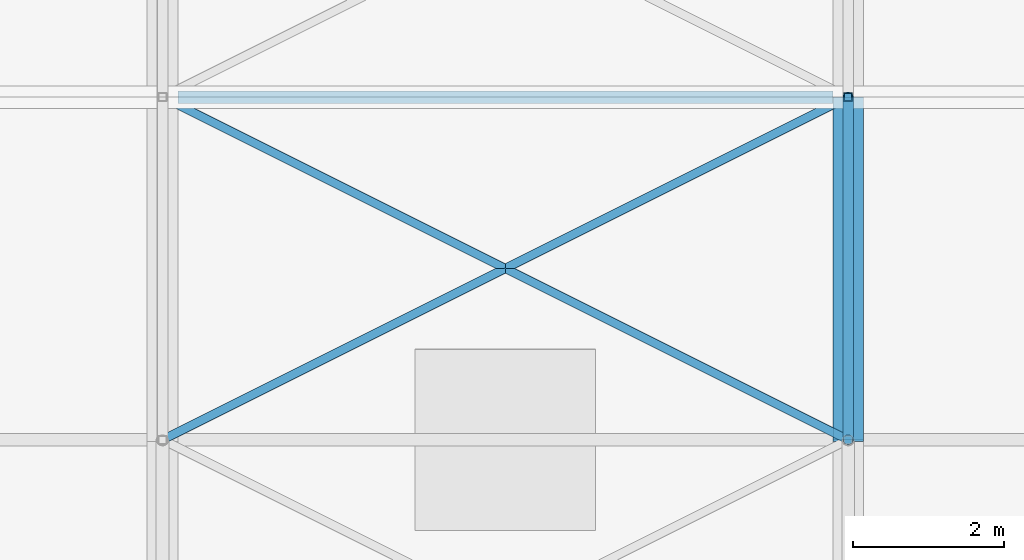
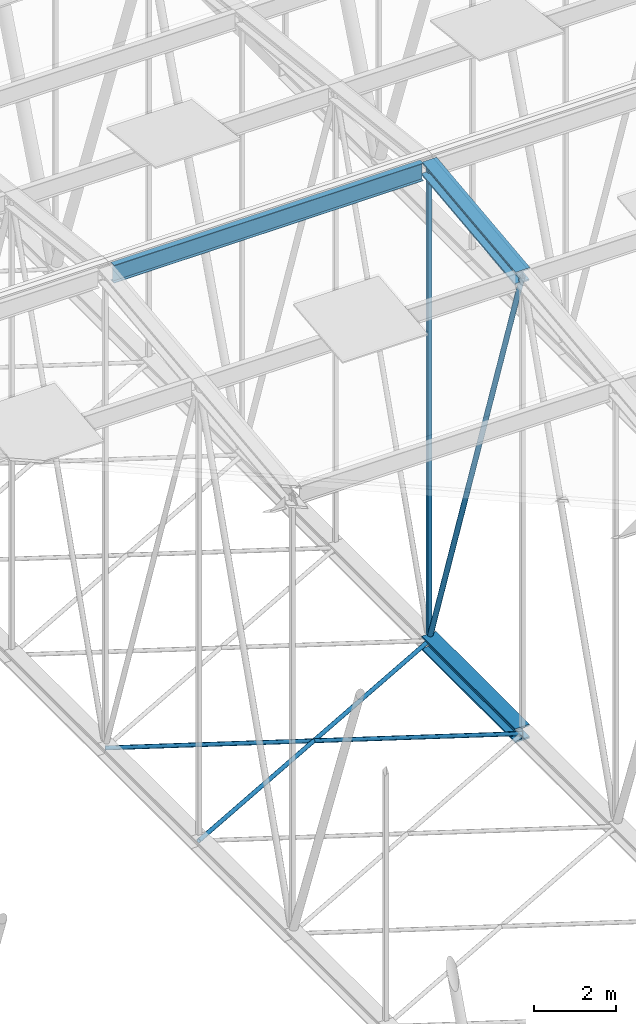
# One storey, part 93 of 500: 7 members.
"""IFC4 building model written with IfcOpenShell, lengths in metres."""

from ifc_helpers import new_model, si_unit, direction, frame, origin, origin_2d, place, context, subcontext, project, spatial, hollow_rectangle, hollow_circle, i_section, extrude, material, material_profile, profile_set, type_object, element, save


model = new_model("IFC4")

# Units and contexts
model_context = context("Model", 3, precision=1e-05, world=origin(), true_north=direction((0.0, 1.0)))
body_context = subcontext(model_context, "Body", "Model", "MODEL_VIEW")
ifc_project = project(units=[si_unit("LENGTHUNIT", "METRE"), si_unit("AREAUNIT", "SQUARE_METRE"), si_unit("VOLUMEUNIT", "CUBIC_METRE"), si_unit("PLANEANGLEUNIT", "RADIAN"), si_unit("MASSUNIT", "GRAM", prefix="KILO")], contexts=[model_context])

# Site, building, storey
site_placement = place(None, origin())
site = spatial("IfcSite", under=ifc_project, at=site_placement, CompositionType="ELEMENT")
building_placement = place(site_placement, origin())
building = spatial("IfcBuilding", under=site, at=building_placement, Name="Shirokan Park Arena", CompositionType="ELEMENT")
storey_placement = place(building_placement, frame((0.0, 0.0, 29.1201171875)))
storey = spatial("IfcBuildingStorey", under=building, at=storey_placement, Name="L06", CompositionType="ELEMENT", Elevation=29.1201171875)

# Members
ifc_material_1 = material(Name="Steel ASTM A992", Category="steel")
ifc_material_profile_1 = material_profile(ifc_material_1, i_section(OverallWidth=0.406005859375, OverallDepth=0.4169921875, WebThickness=0.030029296875, FlangeThickness=0.048095703125, at=origin_2d()), Name="W360X382")
ifc_profile_set_1 = profile_set([ifc_material_profile_1], Name="Steel ASTM A992")
member_type_1 = type_object("IfcMemberType", Name="Bottom chord W360X382", PredefinedType="CHORD", material=ifc_profile_set_1)
member_1_placement = place(storey_placement, frame((54.60009765625, 50.050048828125, 4.677001953125), z_axis=(0.0, 1.0, 0.0), x_axis=(-1.0, 0.0, 0.0)))
element("IfcMember", 1, at=member_1_placement, inside=storey, type_object=member_type_1, Name="Truss T07 bottom chord 14", PredefinedType="CHORD", context=body_context, shape_type="SweptSolid", body=[
    extrude(i_section(OverallWidth=0.406005859375, OverallDepth=0.4169921875, WebThickness=0.030029296875, FlangeThickness=0.048095703125, at=origin_2d()), origin(), (0.0, 0.0, 1.0), 4.550048828125),
])
ifc_material_2 = material(Name="Steel ASTM A500 Grade C", Category="steel")
ifc_material_profile_2 = material_profile(ifc_material_2, hollow_circle(Radius=0.056884765625, WallThickness=0.006103515625, at=origin_2d()), Name="HSS114.3X6")
ifc_profile_set_2 = profile_set([ifc_material_profile_2], Name="Steel ASTM A500 Grade C")
member_type_2 = type_object("IfcMemberType", Name="Plan bracing HSS114.3X6", PredefinedType="BRACE", material=ifc_profile_set_2)
for number, where, z_axis, x_axis, name in (
    (2, (45.5, 50.050048828125, 4.677001953125), (0.894427191, 0.4472135955, 0.0), (-0.4472135955, 0.894427191, 0.0), "Plan bracing bay 6 panel 14 A"),
    (3, (54.60009765625, 50.050048828125, 4.677001953125), (-0.894427191, 0.4472135955, 0.0), (-0.4472135955, -0.894427191, 0.0), "Plan bracing bay 6 panel 14 B"),
):
    element("IfcMember", number, at=place(storey_placement, frame(where, z_axis=z_axis, x_axis=x_axis)), inside=storey, type_object=member_type_2, Name=name, PredefinedType="BRACE", context=body_context, shape_type="SweptSolid", body=[
        extrude(hollow_circle(Radius=0.056884765625, WallThickness=0.006103515625, at=origin_2d()), origin(), (0.0, 0.0, 1.0), 10.17431640625),
    ])
ifc_material_profile_3 = material_profile(ifc_material_1, i_section(OverallWidth=0.166015625, OverallDepth=0.528076171875, WebThickness=0.009765625, FlangeThickness=0.013671875, at=origin_2d()), Name="W530X74")
ifc_profile_set_3 = profile_set([ifc_material_profile_3], Name="Steel ASTM A992")
member_type_3 = type_object("IfcMemberType", Name="Purlin W530X74", PredefinedType="PURLIN", material=ifc_profile_set_3)
member_2_placement = place(storey_placement, frame((45.702880859375, 54.60009765625, 18.725830078125), z_axis=(1.0, 0.0, 0.0), x_axis=(0.0, 1.0, 0.0)))
element("IfcMember", 4, at=member_2_placement, inside=storey, type_object=member_type_3, Name="Purlin 15 bay 6", PredefinedType="PURLIN", context=body_context, shape_type="SweptSolid", body=[
    extrude(i_section(OverallWidth=0.166015625, OverallDepth=0.528076171875, WebThickness=0.009765625, FlangeThickness=0.013671875, at=origin_2d()), origin(), (0.0, 0.0, 1.0), 8.694091796875),
])
ifc_material_profile_4 = material_profile(ifc_material_1, i_section(OverallWidth=0.406005859375, OverallDepth=0.4169921875, WebThickness=0.030029296875, FlangeThickness=0.048095703125, at=origin_2d()), Name="W360X382")
ifc_profile_set_4 = profile_set([ifc_material_profile_4], Name="Steel ASTM A992")
member_type_4 = type_object("IfcMemberType", Name="Top chord W360X382", PredefinedType="CHORD", material=ifc_profile_set_4)
member_3_placement = place(storey_placement, frame((54.60009765625, 50.050048828125, 18.261474609375), z_axis=(0.0, 0.993532328996, 0.113549598152), x_axis=(-1.0, 0.0, 0.0)))
element("IfcMember", 5, at=member_3_placement, inside=storey, type_object=member_type_4, Name="Truss T07 top chord 14", PredefinedType="CHORD", context=body_context, shape_type="SweptSolid", body=[
    extrude(i_section(OverallWidth=0.406005859375, OverallDepth=0.4169921875, WebThickness=0.030029296875, FlangeThickness=0.048095703125, at=origin_2d()), origin(), (0.0, 0.0, 1.0), 4.57958984375),
])
ifc_material_profile_5 = material_profile(ifc_material_2, hollow_circle(Radius=0.070556640625, WallThickness=0.006591796875, at=origin_2d()), Name="HSS141.3X6.6")
ifc_profile_set_5 = profile_set([ifc_material_profile_5], Name="Steel ASTM A500 Grade C")
member_type_5 = type_object("IfcMemberType", Name="Truss diagonal HSS141.3X6.6", PredefinedType="BRACE", material=ifc_profile_set_5)
member_4_placement = place(storey_placement, frame((54.60009765625, 50.050048828125, 18.261474609375), z_axis=(0.0, 0.317602683872, -0.948223884532), x_axis=(-1.0, 0.0, 0.0)))
element("IfcMember", 6, at=member_4_placement, inside=storey, type_object=member_type_5, Name="Truss T07 diagonal 14", PredefinedType="BRACE", context=body_context, shape_type="SweptSolid", body=[
    extrude(hollow_circle(Radius=0.070556640625, WallThickness=0.006591796875, at=origin_2d()), origin(), (0.0, 0.0, 1.0), 14.326171875),
])
ifc_material_profile_6 = material_profile(ifc_material_2, hollow_rectangle(XDim=0.114013671875, YDim=0.114013671875, WallThickness=0.00634765625, at=origin_2d()), Name="HSS114.3X114.3X6.4")
ifc_profile_set_6 = profile_set([ifc_material_profile_6], Name="Steel ASTM A500 Grade C")
member_type_6 = type_object("IfcMemberType", Name="Truss post HSS114.3X114.3X6.4", PredefinedType="POST", material=ifc_profile_set_6)
member_5_placement = place(storey_placement, frame((54.60009765625, 54.60009765625, 4.677001953125), z_axis=(0.0, 0.0, 1.0), x_axis=(1.0, 0.0, 0.0)))
element("IfcMember", 7, at=member_5_placement, inside=storey, type_object=member_type_6, Name="Truss T07 post 15", PredefinedType="POST", context=body_context, shape_type="SweptSolid", body=[
    extrude(hollow_rectangle(XDim=0.114013671875, YDim=0.114013671875, WallThickness=0.00634765625, at=origin_2d()), origin(), (0.0, 0.0, 1.0), 14.1044921875),
])

save(model, "model.ifc")
